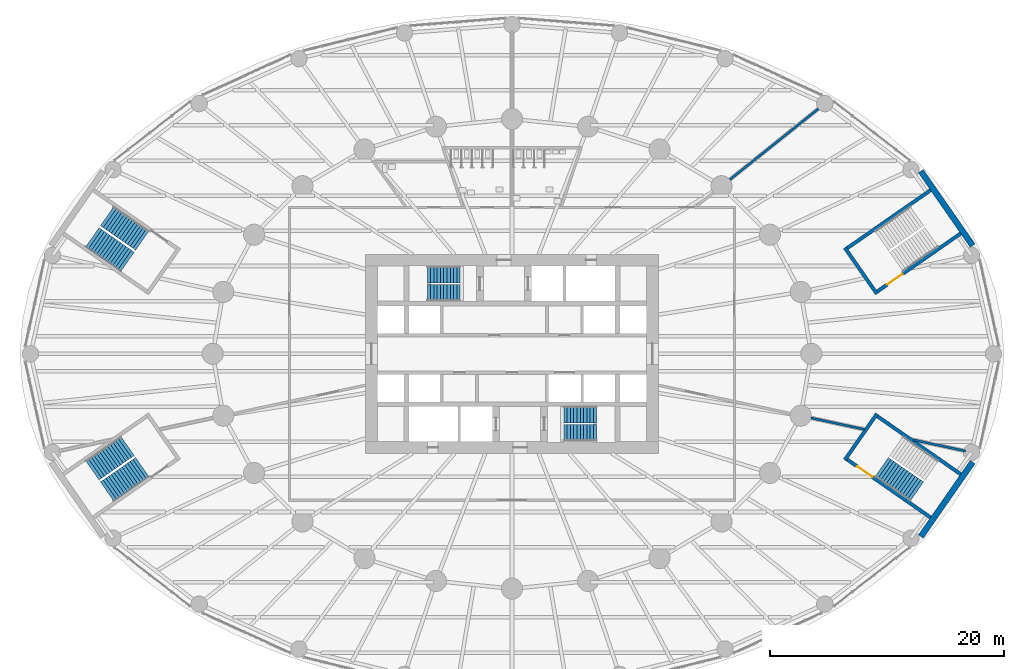
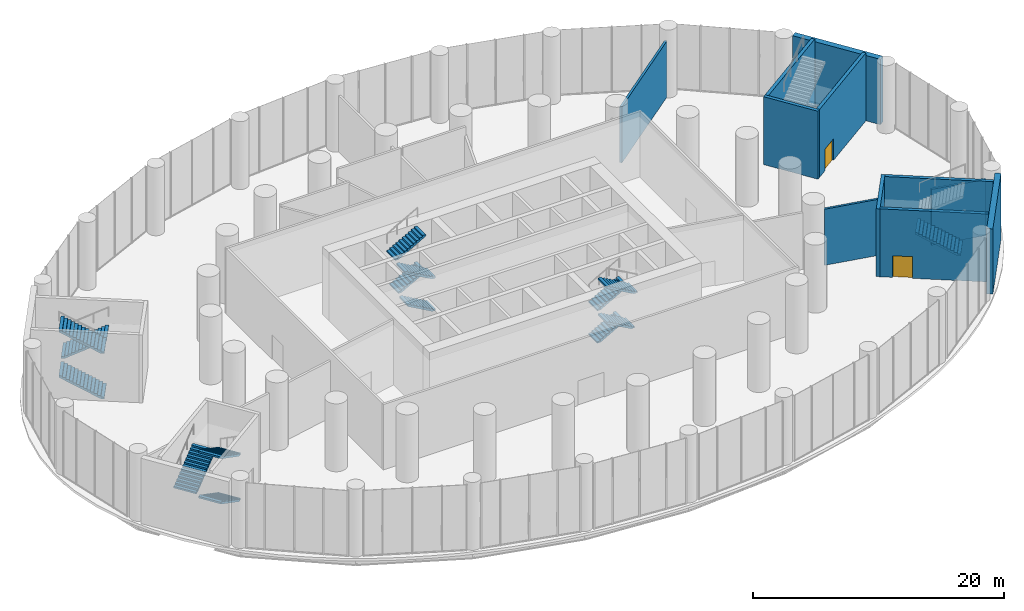
# One storey, part 18 of 22: 15 stair flights, 11 walls, 2 doors, 2 openings, 5 elements without a shape of their own.
"""IFC4 building model written with IfcOpenShell, lengths in metres."""

from ifc_helpers import new_model, si_unit, direction, frame, frame_2d, origin, place, context, subcontext, project, spatial, polyline, rectangle, outline, extrude, material, layer, layer_set, type_object, element, fill, aggregate, save


model = new_model("IFC4")

# Units and contexts
model_context = context("Model", 3, precision=1e-05, world=origin(), true_north=direction((0.0, 1.0)))
body_context = subcontext(model_context, "Body", "Model", "MODEL_VIEW")
ifc_project = project(units=[si_unit("LENGTHUNIT", "METRE"), si_unit("AREAUNIT", "SQUARE_METRE"), si_unit("VOLUMEUNIT", "CUBIC_METRE"), si_unit("PLANEANGLEUNIT", "RADIAN"), si_unit("MASSUNIT", "GRAM", prefix="KILO")], contexts=[model_context])

# Site, building, storey
site_placement = place(None, origin())
site = spatial("IfcSite", under=ifc_project, at=site_placement, CompositionType="ELEMENT")
building_placement = place(site_placement, origin())
building = spatial("IfcBuilding", under=site, at=building_placement, Name="Hankou Lantern Tower", CompositionType="ELEMENT")
storey_placement = place(building_placement, frame((0.0, 0.0, 7.199951171875)))
storey = spatial("IfcBuildingStorey", under=building, at=storey_placement, Name="L01", CompositionType="ELEMENT", Elevation=7.199951171875)

# Wall, opening, door
ifc_material_1 = material(Name="Concrete C50", Category="concrete")
ifc_layer_1 = layer(ifc_material_1, 0.300048828125)
ifc_layer_set_1 = layer_set([ifc_layer_1], Name="Concrete C50")
wall_type_1 = type_object("IfcWallType", Name="CW7 PODIUM STAIR WALL 300", PredefinedType="SHEAR", material=ifc_layer_set_1)
wall_1_placement = place(storey_placement, frame((38.29931640625, 10.273681640625, 0.0), z_axis=(0.0, 0.0, 1.0), x_axis=(-0.820936803751, -0.571019057692, 0.0)))
wall_1 = element("IfcWall", 1, at=wall_1_placement, inside=storey, type_object=wall_type_1, Name="Podium stair P1 wall", PredefinedType="SHEAR", context=body_context, shape_type="SweptSolid", body=[
    extrude(rectangle(XDim=8.66015625, YDim=0.300048828125, at=frame_2d((4.330078125, 0.0))), origin(), (0.0, 0.0, 1.0), 6.60009765625),
])
opening_1_placement = place(wall_1_placement, frame((6.050048828125, 0.0, 0.0)))
opening_1 = element("IfcOpeningElement", 2, at=opening_1_placement, cuts=wall_1, Name="Opening D16", PredefinedType="OPENING", context=body_context, shape_type="SweptSolid", body=[
    extrude(rectangle(XDim=1.60009765625, YDim=2.10009765625, at=frame_2d((0.800048828125, 1.050048828125))), frame((0.0, 0.159912109375, 0.0), z_axis=(0.0, -1.0, 0.0), x_axis=(1.0, 0.0, 0.0)), (0.0, 0.0, 1.0), 0.320068359375),
])
ifc_material_2 = material(Name="Steel door leaf", Category="steel")
door_type = type_object("IfcDoorType", Name="D16 PODIUM STAIR DOOR 1600X2100", OperationType="SINGLE_SWING_LEFT", PredefinedType="DOOR", material=ifc_material_2)
door_1_placement = place(opening_1_placement, origin())
door_1 = element("IfcDoor", 3, at=door_1_placement, inside=storey, type_object=door_type, Name="Podium stair P1 door", OperationType="SINGLE_SWING_LEFT", OverallHeight=2.10009765625, OverallWidth=1.60009765625, PredefinedType="DOOR", context=body_context, shape_type="SweptSolid", body=[
    extrude(rectangle(XDim=1.60009765625, YDim=2.10009765625, at=frame_2d((0.800048828125, 1.050048828125))), frame((0.0, 0.02490234375, 0.0), z_axis=(0.0, -1.0, 0.0), x_axis=(1.0, 0.0, 0.0)), (0.0, 0.0, 1.0), 0.050048828125),
])
fill(opening_1, door_1)

# Walls
wall_2_placement = place(storey_placement, frame((35.7294921875, 13.968017578125, 0.0), z_axis=(0.0, 0.0, 1.0), x_axis=(-0.82092761123, -0.571032273274, 0.0)))
element("IfcWall", 4, at=wall_2_placement, inside=storey, type_object=wall_type_1, Name="Podium stair P1 wall", PredefinedType="SHEAR", context=body_context, shape_type="SweptSolid", body=[
    extrude(rectangle(XDim=8.659912109375, YDim=0.300048828125, at=frame_2d((4.330078125, 0.0))), origin(), (0.0, 0.0, 1.0), 6.60009765625),
])
wall_3_placement = place(storey_placement, frame((31.152587890625, 5.119873046875, 0.0), z_axis=(0.0, 0.0, 1.0), x_axis=(-0.571036173178, 0.820924898467, 0.0)))
element("IfcWall", 5, at=wall_3_placement, inside=storey, type_object=wall_type_1, Name="Podium stair P1 wall", PredefinedType="SHEAR", context=body_context, shape_type="SweptSolid", body=[
    extrude(rectangle(XDim=4.800048828125, YDim=0.300048828125, at=frame_2d((2.39990234375, 0.0))), origin(), (0.0, 0.0, 1.0), 6.60009765625),
])

# Wall, opening, door
wall_4_placement = place(storey_placement, frame((35.7294921875, -13.968017578125, 0.0), z_axis=(0.0, 0.0, 1.0), x_axis=(-0.82092761123, 0.571032273274, 0.0)))
wall_4 = element("IfcWall", 6, at=wall_4_placement, inside=storey, type_object=wall_type_1, Name="Podium stair P4 wall", PredefinedType="SHEAR", context=body_context, shape_type="SweptSolid", body=[
    extrude(rectangle(XDim=8.659912109375, YDim=0.300048828125, at=frame_2d((4.330078125, 0.0))), origin(), (0.0, 0.0, 1.0), 6.60009765625),
])
opening_2_placement = place(wall_4_placement, frame((6.050048828125, 0.0, 0.0)))
opening_2 = element("IfcOpeningElement", 7, at=opening_2_placement, cuts=wall_4, Name="Opening D16", PredefinedType="OPENING", context=body_context, shape_type="SweptSolid", body=[
    extrude(rectangle(XDim=1.60009765625, YDim=2.10009765625, at=frame_2d((0.800048828125, 1.050048828125))), frame((0.0, 0.159912109375, 0.0), z_axis=(0.0, -1.0, 0.0), x_axis=(1.0, 0.0, 0.0)), (0.0, 0.0, 1.0), 0.320068359375),
])
door_2_placement = place(opening_2_placement, origin())
door_2 = element("IfcDoor", 8, at=door_2_placement, inside=storey, type_object=door_type, Name="Podium stair P4 door", OperationType="SINGLE_SWING_LEFT", OverallHeight=2.10009765625, OverallWidth=1.60009765625, PredefinedType="DOOR", context=body_context, shape_type="SweptSolid", body=[
    extrude(rectangle(XDim=1.60009765625, YDim=2.10009765625, at=frame_2d((0.800048828125, 1.050048828125))), frame((0.0, 0.02490234375, 0.0), z_axis=(0.0, -1.0, 0.0), x_axis=(1.0, 0.0, 0.0)), (0.0, 0.0, 1.0), 0.050048828125),
])
fill(opening_2, door_2)

# Walls
wall_5_placement = place(storey_placement, frame((38.29931640625, -10.273681640625, 0.0), z_axis=(0.0, 0.0, 1.0), x_axis=(-0.820936803751, 0.571019057692, 0.0)))
element("IfcWall", 9, at=wall_5_placement, inside=storey, type_object=wall_type_1, Name="Podium stair P4 wall", PredefinedType="SHEAR", context=body_context, shape_type="SweptSolid", body=[
    extrude(rectangle(XDim=8.66015625, YDim=0.300048828125, at=frame_2d((4.330078125, 0.0))), origin(), (0.0, 0.0, 1.0), 6.60009765625),
])
wall_6_placement = place(storey_placement, frame((28.41162109375, -9.060302734375, 0.0), z_axis=(0.0, 0.0, 1.0), x_axis=(0.571036173178, 0.820924898467, 0.0)))
element("IfcWall", 10, at=wall_6_placement, inside=storey, type_object=wall_type_1, Name="Podium stair P4 wall", PredefinedType="SHEAR", context=body_context, shape_type="SweptSolid", body=[
    extrude(rectangle(XDim=4.800048828125, YDim=0.300048828125, at=frame_2d((2.39990234375, 0.0))), origin(), (0.0, 0.0, 1.0), 6.60009765625),
])
ifc_material_3 = material(Name="Granite cladding on reinforced concrete C50", Category="masonry")
ifc_layer_2 = layer(ifc_material_3, 0.5)
ifc_layer_set_2 = layer_set([ifc_layer_2], Name="Granite cladding on reinforced concrete C50")
wall_type_2 = type_object("IfcWallType", Name="EW2 STONE PORTAL WALL 500", PredefinedType="SOLIDWALL", material=ifc_layer_set_2)
for number, where, z_axis, x_axis, name in (
    (11, (39.3203125, 9.24365234375, 0.0), (0.0, 0.0, 1.0), (-0.571029335057, 0.820929655028, 0.0), "Portal wall R02 L01"),
    (12, (34.90478515625, -15.591552734375, 0.0), (0.0, 0.0, 1.0), (0.571029335057, 0.820929655028, 0.0), "Portal wall R23 L01"),
):
    element("IfcWall", number, at=place(storey_placement, frame(where, z_axis=z_axis, x_axis=x_axis)), inside=storey, type_object=wall_type_2, Name=name, PredefinedType="SOLIDWALL", context=body_context, shape_type="SweptSolid", body=[
        extrude(rectangle(XDim=7.732666015625, YDim=0.5, at=frame_2d((3.8662109375, 0.0))), origin(), (0.0, 0.0, 1.0), 6.35009765625),
    ])
ifc_material_4 = material(Name="Masonry dense concrete block", Category="masonry")
ifc_layer_3 = layer(ifc_material_4, 0.199951171875)
ifc_layer_set_3 = layer_set([ifc_layer_3], Name="Masonry dense concrete block")
wall_type_3 = type_object("IfcWallType", Name="FW1 COMPARTMENT FIRE WALL 200", PredefinedType="PARTITIONING", material=ifc_layer_set_3)
wall_7_placement = place(storey_placement, frame((25.527099609375, -5.471923828125, 0.0), z_axis=(0.0, 0.0, 1.0), x_axis=(0.977787143577, -0.209600338396, 0.0)))
element("IfcWall", 13, at=wall_7_placement, inside=storey, type_object=wall_type_3, Name="Fire wall R24", PredefinedType="PARTITIONING", context=body_context, shape_type="SweptSolid", body=[
    extrude(rectangle(XDim=4.68017578125, YDim=0.199951171875, at=frame_2d((2.340087890625, 0.0))), origin(), (0.0, 0.0, 1.0), 5.449951171875),
])
wall_8_placement = place(storey_placement, frame((34.263427734375, -7.3447265625, 0.0), z_axis=(0.0, 0.0, 1.0), x_axis=(0.977794589892, -0.209565598271, 0.0)))
element("IfcWall", 14, at=wall_8_placement, inside=storey, type_object=wall_type_3, Name="Fire wall R24", PredefinedType="PARTITIONING", context=body_context, shape_type="SweptSolid", body=[
    extrude(rectangle(XDim=4.566650390625, YDim=0.199951171875, at=frame_2d((2.283203125, 0.0))), origin(), (0.0, 0.0, 1.0), 5.449951171875),
])
ifc_material_5 = material(Name="Masonry lightweight concrete block", Category="masonry")
ifc_layer_4 = layer(ifc_material_5, 0.199951171875)
ifc_layer_set_4 = layer_set([ifc_layer_4], Name="Masonry lightweight concrete block")
wall_type_4 = type_object("IfcWallType", Name="IW8 PARTITION 200", PredefinedType="PARTITIONING", material=ifc_layer_set_4)
wall_9_placement = place(storey_placement, frame((18.594482421875, 14.87548828125, 0.0), z_axis=(0.0, 0.0, 1.0), x_axis=(0.780868809443, 0.624695047554, 0.0)))
element("IfcWall", 15, at=wall_9_placement, inside=storey, type_object=wall_type_4, Name="Partition R04", PredefinedType="PARTITIONING", context=body_context, shape_type="SweptSolid", body=[
    extrude(rectangle(XDim=9.883056640625, YDim=0.199951171875, at=frame_2d((4.94140625, 0.0))), origin(), (0.0, 0.0, 1.0), 5.449951171875),
])

# Stair, stair flights
ifc_material_6 = material(Name="Concrete C40", Category="concrete")
stair_type_1 = type_object("IfcStairType", Name="ST66 CORE STAIR 6600 RISE", PredefinedType="HALF_TURN_STAIR", material=ifc_material_6)
stair_1_placement = place(storey_placement, origin())
stair_1 = element("IfcStair", 16, at=stair_1_placement, inside=storey, type_object=stair_type_1, Name="Stair STA L01", PredefinedType="HALF_TURN_STAIR")
ifc_material_7 = material(Name="Concrete C40", Category="concrete")
stair_flight_type_1 = type_object("IfcStairFlightType", Name="CF10 CORE STAIR FLIGHT 1400 X 10 RISERS", PredefinedType="STRAIGHT", material=ifc_material_7)
stair_flight_1_placement = place(storey_placement, frame((-4.429931640625, 5.199951171875, 0.0), z_axis=(0.0, 0.0, 1.0), x_axis=(-1.0, 0.0, 0.0)))
stair_flight_1 = element("IfcStairFlight", 17, at=stair_flight_1_placement, type_object=stair_flight_type_1, Name="STA flight 1", NumberOfRisers=10, NumberOfTreads=9, PredefinedType="STRAIGHT", RiserHeight=0.157142857, TreadLength=0.28, context=body_context, shape_type="SweptSolid", body=[
    extrude(outline(polyline([(0.0, 0.0), (0.0, 0.1572265625), (0.280029296875, 0.1572265625), (0.280029296875, 0.314208984375), (0.56005859375, 0.314208984375), (0.56005859375, 0.471435546875), (0.840087890625, 0.471435546875), (0.840087890625, 0.628662109375), (1.1201171875, 0.628662109375), (1.1201171875, 0.78564453125), (1.39990234375, 0.78564453125), (1.39990234375, 0.94287109375), (1.679931640625, 0.94287109375), (1.679931640625, 1.10009765625), (1.9599609375, 1.10009765625), (1.9599609375, 1.257080078125), (2.239990234375, 1.257080078125), (2.239990234375, 1.414306640625), (2.52001953125, 1.414306640625), (2.52001953125, 1.571533203125), (2.52001953125, 1.242431640625), (0.306396484375, 0.0), (0.0, 0.0)])), frame((0.0, 0.699951171875, 0.0), z_axis=(0.0, -1.0, 0.0), x_axis=(1.0, 0.0, 0.0)), (0.0, 0.0, 1.0), 1.39990234375),
])
stair_flight_2_placement = place(storey_placement, frame((-6.949951171875, 6.75, 1.571533203125), z_axis=(0.0, 0.0, 1.0), x_axis=(1.0, 0.0, 0.0)))
stair_flight_2 = element("IfcStairFlight", 18, at=stair_flight_2_placement, type_object=stair_flight_type_1, Name="STA flight 2", NumberOfRisers=10, NumberOfTreads=9, PredefinedType="STRAIGHT", RiserHeight=0.157142857, TreadLength=0.28, context=body_context, shape_type="SweptSolid", body=[
    extrude(outline(polyline([(0.0, 0.0), (0.0, 0.1572265625), (0.280029296875, 0.1572265625), (0.280029296875, 0.314208984375), (0.56005859375, 0.314208984375), (0.56005859375, 0.471435546875), (0.840087890625, 0.471435546875), (0.840087890625, 0.628662109375), (1.1201171875, 0.628662109375), (1.1201171875, 0.78564453125), (1.39990234375, 0.78564453125), (1.39990234375, 0.94287109375), (1.679931640625, 0.94287109375), (1.679931640625, 1.10009765625), (1.9599609375, 1.10009765625), (1.9599609375, 1.257080078125), (2.239990234375, 1.257080078125), (2.239990234375, 1.414306640625), (2.52001953125, 1.414306640625), (2.52001953125, 1.571533203125), (2.52001953125, 1.242431640625), (0.306396484375, 0.0), (0.0, 0.0)])), frame((0.0, 0.699951171875, 0.0), z_axis=(0.0, -1.0, 0.0), x_axis=(1.0, 0.0, 0.0)), (0.0, 0.0, 1.0), 1.39990234375),
])

stair_2_placement = place(storey_placement, origin())
stair_2 = element("IfcStair", 19, at=stair_2_placement, inside=storey, type_object=stair_type_1, Name="Stair STB L01", PredefinedType="HALF_TURN_STAIR")
stair_flight_3_placement = place(storey_placement, frame((4.429931640625, -5.199951171875, 0.0), z_axis=(0.0, 0.0, 1.0), x_axis=(1.0, 0.0, 0.0)))
stair_flight_3 = element("IfcStairFlight", 20, at=stair_flight_3_placement, type_object=stair_flight_type_1, Name="STB flight 1", NumberOfRisers=10, NumberOfTreads=9, PredefinedType="STRAIGHT", RiserHeight=0.157142857, TreadLength=0.28, context=body_context, shape_type="SweptSolid", body=[
    extrude(outline(polyline([(0.0, 0.0), (0.0, 0.1572265625), (0.280029296875, 0.1572265625), (0.280029296875, 0.314208984375), (0.56005859375, 0.314208984375), (0.56005859375, 0.471435546875), (0.840087890625, 0.471435546875), (0.840087890625, 0.628662109375), (1.1201171875, 0.628662109375), (1.1201171875, 0.78564453125), (1.39990234375, 0.78564453125), (1.39990234375, 0.94287109375), (1.679931640625, 0.94287109375), (1.679931640625, 1.10009765625), (1.9599609375, 1.10009765625), (1.9599609375, 1.257080078125), (2.239990234375, 1.257080078125), (2.239990234375, 1.414306640625), (2.52001953125, 1.414306640625), (2.52001953125, 1.571533203125), (2.52001953125, 1.242431640625), (0.306396484375, 0.0), (0.0, 0.0)])), frame((0.0, 0.699951171875, 0.0), z_axis=(0.0, -1.0, 0.0), x_axis=(1.0, 0.0, 0.0)), (0.0, 0.0, 1.0), 1.39990234375),
])
stair_flight_4_placement = place(storey_placement, frame((6.949951171875, -6.75, 1.571533203125), z_axis=(0.0, 0.0, 1.0), x_axis=(-1.0, 0.0, 0.0)))
stair_flight_4 = element("IfcStairFlight", 21, at=stair_flight_4_placement, type_object=stair_flight_type_1, Name="STB flight 2", NumberOfRisers=10, NumberOfTreads=9, PredefinedType="STRAIGHT", RiserHeight=0.157142857, TreadLength=0.28, context=body_context, shape_type="SweptSolid", body=[
    extrude(outline(polyline([(0.0, 0.0), (0.0, 0.1572265625), (0.280029296875, 0.1572265625), (0.280029296875, 0.314208984375), (0.56005859375, 0.314208984375), (0.56005859375, 0.471435546875), (0.840087890625, 0.471435546875), (0.840087890625, 0.628662109375), (1.1201171875, 0.628662109375), (1.1201171875, 0.78564453125), (1.39990234375, 0.78564453125), (1.39990234375, 0.94287109375), (1.679931640625, 0.94287109375), (1.679931640625, 1.10009765625), (1.9599609375, 1.10009765625), (1.9599609375, 1.257080078125), (2.239990234375, 1.257080078125), (2.239990234375, 1.414306640625), (2.52001953125, 1.414306640625), (2.52001953125, 1.571533203125), (2.52001953125, 1.242431640625), (0.306396484375, 0.0), (0.0, 0.0)])), frame((0.0, 0.699951171875, 0.0), z_axis=(0.0, -1.0, 0.0), x_axis=(1.0, 0.0, 0.0)), (0.0, 0.0, 1.0), 1.39990234375),
])

# Stair flight
ifc_material_8 = material(Name="Concrete C40", Category="concrete")
stair_flight_type_2 = type_object("IfcStairFlightType", Name="CF11 CORE STAIR FLIGHT 1400 X 11 RISERS", PredefinedType="STRAIGHT", material=ifc_material_8)
stair_flight_5_placement = place(storey_placement, frame((-4.429931640625, 5.199951171875, 3.142822265625), z_axis=(0.0, 0.0, 1.0), x_axis=(-1.0, 0.0, 0.0)))
stair_flight_5 = element("IfcStairFlight", 22, at=stair_flight_5_placement, type_object=stair_flight_type_2, Name="STA flight 3", NumberOfRisers=11, NumberOfTreads=10, PredefinedType="STRAIGHT", RiserHeight=0.157142857, TreadLength=0.28, context=body_context, shape_type="SweptSolid", body=[
    extrude(outline(polyline([(0.0, 0.0), (0.0, 0.1572265625), (0.280029296875, 0.1572265625), (0.280029296875, 0.314208984375), (0.56005859375, 0.314208984375), (0.56005859375, 0.471435546875), (0.840087890625, 0.471435546875), (0.840087890625, 0.628662109375), (1.1201171875, 0.628662109375), (1.1201171875, 0.78564453125), (1.39990234375, 0.78564453125), (1.39990234375, 0.94287109375), (1.679931640625, 0.94287109375), (1.679931640625, 1.10009765625), (1.9599609375, 1.10009765625), (1.9599609375, 1.257080078125), (2.239990234375, 1.257080078125), (2.239990234375, 1.414306640625), (2.52001953125, 1.414306640625), (2.52001953125, 1.571533203125), (2.800048828125, 1.571533203125), (2.800048828125, 1.728515625), (2.800048828125, 1.3994140625), (0.306396484375, 0.0), (0.0, 0.0)])), frame((0.0, 0.699951171875, 0.0), z_axis=(0.0, -1.0, 0.0), x_axis=(1.0, 0.0, 0.0)), (0.0, 0.0, 1.0), 1.39990234375),
])

stair_flight_6_placement = place(storey_placement, frame((-7.22998046875, 6.75, 4.87158203125), z_axis=(0.0, 0.0, 1.0), x_axis=(1.0, 0.0, 0.0)))
stair_flight_6 = element("IfcStairFlight", 23, at=stair_flight_6_placement, type_object=stair_flight_type_2, Name="STA flight 4", NumberOfRisers=11, NumberOfTreads=10, PredefinedType="STRAIGHT", RiserHeight=0.157142857, TreadLength=0.28, context=body_context, shape_type="SweptSolid", body=[
    extrude(outline(polyline([(0.0, 0.0), (0.0, 0.1572265625), (0.280029296875, 0.1572265625), (0.280029296875, 0.314208984375), (0.56005859375, 0.314208984375), (0.56005859375, 0.471435546875), (0.840087890625, 0.471435546875), (0.840087890625, 0.628662109375), (1.1201171875, 0.628662109375), (1.1201171875, 0.78564453125), (1.39990234375, 0.78564453125), (1.39990234375, 0.94287109375), (1.679931640625, 0.94287109375), (1.679931640625, 1.10009765625), (1.9599609375, 1.10009765625), (1.9599609375, 1.257080078125), (2.239990234375, 1.257080078125), (2.239990234375, 1.414306640625), (2.52001953125, 1.414306640625), (2.52001953125, 1.571533203125), (2.800048828125, 1.571533203125), (2.800048828125, 1.728515625), (2.800048828125, 1.3994140625), (0.306396484375, 0.0), (0.0, 0.0)])), frame((0.0, 0.699951171875, 0.0), z_axis=(0.0, -1.0, 0.0), x_axis=(1.0, 0.0, 0.0)), (0.0, 0.0, 1.0), 1.39990234375),
])

aggregate(stair_1, [stair_flight_1, stair_flight_2, stair_flight_5, stair_flight_6])

stair_flight_7_placement = place(storey_placement, frame((4.429931640625, -5.199951171875, 3.142822265625), z_axis=(0.0, 0.0, 1.0), x_axis=(1.0, 0.0, 0.0)))
stair_flight_7 = element("IfcStairFlight", 24, at=stair_flight_7_placement, type_object=stair_flight_type_2, Name="STB flight 3", NumberOfRisers=11, NumberOfTreads=10, PredefinedType="STRAIGHT", RiserHeight=0.157142857, TreadLength=0.28, context=body_context, shape_type="SweptSolid", body=[
    extrude(outline(polyline([(0.0, 0.0), (0.0, 0.1572265625), (0.280029296875, 0.1572265625), (0.280029296875, 0.314208984375), (0.56005859375, 0.314208984375), (0.56005859375, 0.471435546875), (0.840087890625, 0.471435546875), (0.840087890625, 0.628662109375), (1.1201171875, 0.628662109375), (1.1201171875, 0.78564453125), (1.39990234375, 0.78564453125), (1.39990234375, 0.94287109375), (1.679931640625, 0.94287109375), (1.679931640625, 1.10009765625), (1.9599609375, 1.10009765625), (1.9599609375, 1.257080078125), (2.239990234375, 1.257080078125), (2.239990234375, 1.414306640625), (2.52001953125, 1.414306640625), (2.52001953125, 1.571533203125), (2.800048828125, 1.571533203125), (2.800048828125, 1.728515625), (2.800048828125, 1.3994140625), (0.306396484375, 0.0), (0.0, 0.0)])), frame((0.0, 0.699951171875, 0.0), z_axis=(0.0, -1.0, 0.0), x_axis=(1.0, 0.0, 0.0)), (0.0, 0.0, 1.0), 1.39990234375),
])

stair_flight_8_placement = place(storey_placement, frame((7.22998046875, -6.75, 4.87158203125), z_axis=(0.0, 0.0, 1.0), x_axis=(-1.0, 0.0, 0.0)))
stair_flight_8 = element("IfcStairFlight", 25, at=stair_flight_8_placement, type_object=stair_flight_type_2, Name="STB flight 4", NumberOfRisers=11, NumberOfTreads=10, PredefinedType="STRAIGHT", RiserHeight=0.157142857, TreadLength=0.28, context=body_context, shape_type="SweptSolid", body=[
    extrude(outline(polyline([(0.0, 0.0), (0.0, 0.1572265625), (0.280029296875, 0.1572265625), (0.280029296875, 0.314208984375), (0.56005859375, 0.314208984375), (0.56005859375, 0.471435546875), (0.840087890625, 0.471435546875), (0.840087890625, 0.628662109375), (1.1201171875, 0.628662109375), (1.1201171875, 0.78564453125), (1.39990234375, 0.78564453125), (1.39990234375, 0.94287109375), (1.679931640625, 0.94287109375), (1.679931640625, 1.10009765625), (1.9599609375, 1.10009765625), (1.9599609375, 1.257080078125), (2.239990234375, 1.257080078125), (2.239990234375, 1.414306640625), (2.52001953125, 1.414306640625), (2.52001953125, 1.571533203125), (2.800048828125, 1.571533203125), (2.800048828125, 1.728515625), (2.800048828125, 1.3994140625), (0.306396484375, 0.0), (0.0, 0.0)])), frame((0.0, 0.699951171875, 0.0), z_axis=(0.0, -1.0, 0.0), x_axis=(1.0, 0.0, 0.0)), (0.0, 0.0, 1.0), 1.39990234375),
])

aggregate(stair_2, [stair_flight_3, stair_flight_4, stair_flight_7, stair_flight_8])

# Stair, stair flights
ifc_material_9 = material(Name="Concrete C40", Category="concrete")
stair_type_2 = type_object("IfcStairType", Name="PS66 PODIUM STAIR 6600 RISE", PredefinedType="HALF_TURN_STAIR", material=ifc_material_9)
stair_3_placement = place(storey_placement, origin())
stair_3 = element("IfcStair", 26, at=stair_3_placement, inside=storey, type_object=stair_type_2, Name="Stair P2 L01", PredefinedType="HALF_TURN_STAIR")
ifc_material_10 = material(Name="Concrete C40", Category="concrete")
stair_flight_type_3 = type_object("IfcStairFlightType", Name="PF14 PODIUM STAIR FLIGHT 2000 X 14 RISERS", PredefinedType="STRAIGHT", material=ifc_material_10)
stair_flight_9_placement = place(storey_placement, frame((-32.82373046875, 7.865966796875, 0.0), z_axis=(0.0, 0.0, 1.0), x_axis=(-0.820927362045, 0.571032631507, 0.0)))
stair_flight_9 = element("IfcStairFlight", 27, at=stair_flight_9_placement, type_object=stair_flight_type_3, Name="P2 flight 1", NumberOfRisers=14, NumberOfTreads=13, PredefinedType="STRAIGHT", RiserHeight=0.157142857, TreadLength=0.28, context=body_context, shape_type="SweptSolid", body=[
    extrude(outline(polyline([(0.0, 0.0), (0.0, 0.1572265625), (0.280029296875, 0.1572265625), (0.280029296875, 0.314208984375), (0.56005859375, 0.314208984375), (0.56005859375, 0.471435546875), (0.840087890625, 0.471435546875), (0.840087890625, 0.628662109375), (1.1201171875, 0.628662109375), (1.1201171875, 0.78564453125), (1.39990234375, 0.78564453125), (1.39990234375, 0.94287109375), (1.679931640625, 0.94287109375), (1.679931640625, 1.10009765625), (1.9599609375, 1.10009765625), (1.9599609375, 1.257080078125), (2.239990234375, 1.257080078125), (2.239990234375, 1.414306640625), (2.52001953125, 1.414306640625), (2.52001953125, 1.571533203125), (2.800048828125, 1.571533203125), (2.800048828125, 1.728515625), (3.080078125, 1.728515625), (3.080078125, 1.8857421875), (3.360107421875, 1.8857421875), (3.360107421875, 2.04296875), (3.639892578125, 2.04296875), (3.639892578125, 2.199951171875), (3.639892578125, 1.870849609375), (0.306396484375, 0.0), (0.0, 0.0)])), frame((0.0, 1.0, 0.0), z_axis=(0.0, -1.0, 0.0), x_axis=(1.0, 0.0, 0.0)), (0.0, 0.0, 1.0), 2.0),
])
stair_flight_10_placement = place(storey_placement, frame((-34.5556640625, 11.75048828125, 2.199951171875), z_axis=(0.0, 0.0, 1.0), x_axis=(0.820927362045, -0.571032631507, 0.0)))
stair_flight_10 = element("IfcStairFlight", 28, at=stair_flight_10_placement, type_object=stair_flight_type_3, Name="P2 flight 2", NumberOfRisers=14, NumberOfTreads=13, PredefinedType="STRAIGHT", RiserHeight=0.157142857, TreadLength=0.28, context=body_context, shape_type="SweptSolid", body=[
    extrude(outline(polyline([(0.0, 0.0), (0.0, 0.1572265625), (0.280029296875, 0.1572265625), (0.280029296875, 0.314208984375), (0.56005859375, 0.314208984375), (0.56005859375, 0.471435546875), (0.840087890625, 0.471435546875), (0.840087890625, 0.628662109375), (1.1201171875, 0.628662109375), (1.1201171875, 0.78564453125), (1.39990234375, 0.78564453125), (1.39990234375, 0.94287109375), (1.679931640625, 0.94287109375), (1.679931640625, 1.10009765625), (1.9599609375, 1.10009765625), (1.9599609375, 1.257080078125), (2.239990234375, 1.257080078125), (2.239990234375, 1.414306640625), (2.52001953125, 1.414306640625), (2.52001953125, 1.571533203125), (2.800048828125, 1.571533203125), (2.800048828125, 1.728515625), (3.080078125, 1.728515625), (3.080078125, 1.8857421875), (3.360107421875, 1.8857421875), (3.360107421875, 2.04296875), (3.639892578125, 2.04296875), (3.639892578125, 2.199951171875), (3.639892578125, 1.870849609375), (0.306396484375, 0.0), (0.0, 0.0)])), frame((0.0, 1.0, 0.0), z_axis=(0.0, -1.0, 0.0), x_axis=(1.0, 0.0, 0.0)), (0.0, 0.0, 1.0), 2.0),
])
stair_flight_11_placement = place(storey_placement, frame((-32.82373046875, 7.865966796875, 4.400146484375), z_axis=(0.0, 0.0, 1.0), x_axis=(-0.820927362045, 0.571032631507, 0.0)))
stair_flight_11 = element("IfcStairFlight", 29, at=stair_flight_11_placement, type_object=stair_flight_type_3, Name="P2 flight 3", NumberOfRisers=14, NumberOfTreads=13, PredefinedType="STRAIGHT", RiserHeight=0.157142857, TreadLength=0.28, context=body_context, shape_type="SweptSolid", body=[
    extrude(outline(polyline([(0.0, 0.0), (0.0, 0.1572265625), (0.280029296875, 0.1572265625), (0.280029296875, 0.314208984375), (0.56005859375, 0.314208984375), (0.56005859375, 0.471435546875), (0.840087890625, 0.471435546875), (0.840087890625, 0.628662109375), (1.1201171875, 0.628662109375), (1.1201171875, 0.78564453125), (1.39990234375, 0.78564453125), (1.39990234375, 0.94287109375), (1.679931640625, 0.94287109375), (1.679931640625, 1.10009765625), (1.9599609375, 1.10009765625), (1.9599609375, 1.257080078125), (2.239990234375, 1.257080078125), (2.239990234375, 1.414306640625), (2.52001953125, 1.414306640625), (2.52001953125, 1.571533203125), (2.800048828125, 1.571533203125), (2.800048828125, 1.728515625), (3.080078125, 1.728515625), (3.080078125, 1.8857421875), (3.360107421875, 1.8857421875), (3.360107421875, 2.04296875), (3.639892578125, 2.04296875), (3.639892578125, 2.199951171875), (3.639892578125, 1.870849609375), (0.306396484375, 0.0), (0.0, 0.0)])), frame((0.0, 1.0, 0.0), z_axis=(0.0, -1.0, 0.0), x_axis=(1.0, 0.0, 0.0)), (0.0, 0.0, 1.0), 2.0),
])
aggregate(stair_3, [stair_flight_9, stair_flight_10, stair_flight_11])

stair_4_placement = place(storey_placement, origin())
stair_4 = element("IfcStair", 30, at=stair_4_placement, inside=storey, type_object=stair_type_2, Name="Stair P3 L01", PredefinedType="HALF_TURN_STAIR")
stair_flight_12_placement = place(storey_placement, frame((-31.5673828125, -9.671875, 0.0), z_axis=(0.0, 0.0, 1.0), x_axis=(-0.820927362045, -0.571032631507, 0.0)))
stair_flight_12 = element("IfcStairFlight", 31, at=stair_flight_12_placement, type_object=stair_flight_type_3, Name="P3 flight 1", NumberOfRisers=14, NumberOfTreads=13, PredefinedType="STRAIGHT", RiserHeight=0.157142857, TreadLength=0.28, context=body_context, shape_type="SweptSolid", body=[
    extrude(outline(polyline([(0.0, 0.0), (0.0, 0.1572265625), (0.280029296875, 0.1572265625), (0.280029296875, 0.314208984375), (0.56005859375, 0.314208984375), (0.56005859375, 0.471435546875), (0.840087890625, 0.471435546875), (0.840087890625, 0.628662109375), (1.1201171875, 0.628662109375), (1.1201171875, 0.78564453125), (1.39990234375, 0.78564453125), (1.39990234375, 0.94287109375), (1.679931640625, 0.94287109375), (1.679931640625, 1.10009765625), (1.9599609375, 1.10009765625), (1.9599609375, 1.257080078125), (2.239990234375, 1.257080078125), (2.239990234375, 1.414306640625), (2.52001953125, 1.414306640625), (2.52001953125, 1.571533203125), (2.800048828125, 1.571533203125), (2.800048828125, 1.728515625), (3.080078125, 1.728515625), (3.080078125, 1.8857421875), (3.360107421875, 1.8857421875), (3.360107421875, 2.04296875), (3.639892578125, 2.04296875), (3.639892578125, 2.199951171875), (3.639892578125, 1.870849609375), (0.306396484375, 0.0), (0.0, 0.0)])), frame((0.0, 1.0, 0.0), z_axis=(0.0, -1.0, 0.0), x_axis=(1.0, 0.0, 0.0)), (0.0, 0.0, 1.0), 2.0),
])
stair_flight_13_placement = place(storey_placement, frame((-35.811767578125, -9.944580078125, 2.199951171875), z_axis=(0.0, 0.0, 1.0), x_axis=(0.820927362045, 0.571032631507, 0.0)))
stair_flight_13 = element("IfcStairFlight", 32, at=stair_flight_13_placement, type_object=stair_flight_type_3, Name="P3 flight 2", NumberOfRisers=14, NumberOfTreads=13, PredefinedType="STRAIGHT", RiserHeight=0.157142857, TreadLength=0.28, context=body_context, shape_type="SweptSolid", body=[
    extrude(outline(polyline([(0.0, 0.0), (0.0, 0.1572265625), (0.280029296875, 0.1572265625), (0.280029296875, 0.314208984375), (0.56005859375, 0.314208984375), (0.56005859375, 0.471435546875), (0.840087890625, 0.471435546875), (0.840087890625, 0.628662109375), (1.1201171875, 0.628662109375), (1.1201171875, 0.78564453125), (1.39990234375, 0.78564453125), (1.39990234375, 0.94287109375), (1.679931640625, 0.94287109375), (1.679931640625, 1.10009765625), (1.9599609375, 1.10009765625), (1.9599609375, 1.257080078125), (2.239990234375, 1.257080078125), (2.239990234375, 1.414306640625), (2.52001953125, 1.414306640625), (2.52001953125, 1.571533203125), (2.800048828125, 1.571533203125), (2.800048828125, 1.728515625), (3.080078125, 1.728515625), (3.080078125, 1.8857421875), (3.360107421875, 1.8857421875), (3.360107421875, 2.04296875), (3.639892578125, 2.04296875), (3.639892578125, 2.199951171875), (3.639892578125, 1.870849609375), (0.306396484375, 0.0), (0.0, 0.0)])), frame((0.0, 1.0, 0.0), z_axis=(0.0, -1.0, 0.0), x_axis=(1.0, 0.0, 0.0)), (0.0, 0.0, 1.0), 2.0),
])
stair_flight_14_placement = place(storey_placement, frame((-31.5673828125, -9.671875, 4.400146484375), z_axis=(0.0, 0.0, 1.0), x_axis=(-0.820927362045, -0.571032631507, 0.0)))
stair_flight_14 = element("IfcStairFlight", 33, at=stair_flight_14_placement, type_object=stair_flight_type_3, Name="P3 flight 3", NumberOfRisers=14, NumberOfTreads=13, PredefinedType="STRAIGHT", RiserHeight=0.157142857, TreadLength=0.28, context=body_context, shape_type="SweptSolid", body=[
    extrude(outline(polyline([(0.0, 0.0), (0.0, 0.1572265625), (0.280029296875, 0.1572265625), (0.280029296875, 0.314208984375), (0.56005859375, 0.314208984375), (0.56005859375, 0.471435546875), (0.840087890625, 0.471435546875), (0.840087890625, 0.628662109375), (1.1201171875, 0.628662109375), (1.1201171875, 0.78564453125), (1.39990234375, 0.78564453125), (1.39990234375, 0.94287109375), (1.679931640625, 0.94287109375), (1.679931640625, 1.10009765625), (1.9599609375, 1.10009765625), (1.9599609375, 1.257080078125), (2.239990234375, 1.257080078125), (2.239990234375, 1.414306640625), (2.52001953125, 1.414306640625), (2.52001953125, 1.571533203125), (2.800048828125, 1.571533203125), (2.800048828125, 1.728515625), (3.080078125, 1.728515625), (3.080078125, 1.8857421875), (3.360107421875, 1.8857421875), (3.360107421875, 2.04296875), (3.639892578125, 2.04296875), (3.639892578125, 2.199951171875), (3.639892578125, 1.870849609375), (0.306396484375, 0.0), (0.0, 0.0)])), frame((0.0, 1.0, 0.0), z_axis=(0.0, -1.0, 0.0), x_axis=(1.0, 0.0, 0.0)), (0.0, 0.0, 1.0), 2.0),
])
aggregate(stair_4, [stair_flight_12, stair_flight_13, stair_flight_14])

# Stair, stair flight
stair_5_placement = place(storey_placement, origin())
stair_5 = element("IfcStair", 34, at=stair_5_placement, inside=storey, type_object=stair_type_2, Name="Stair P4 L01", PredefinedType="HALF_TURN_STAIR")
stair_flight_15_placement = place(storey_placement, frame((34.5556640625, -11.75048828125, 2.199951171875), z_axis=(0.0, 0.0, 1.0), x_axis=(-0.820927362045, 0.571032631507, 0.0)))
stair_flight_15 = element("IfcStairFlight", 35, at=stair_flight_15_placement, type_object=stair_flight_type_3, Name="P4 flight 2", NumberOfRisers=14, NumberOfTreads=13, PredefinedType="STRAIGHT", RiserHeight=0.157142857, TreadLength=0.28, context=body_context, shape_type="SweptSolid", body=[
    extrude(outline(polyline([(0.0, 0.0), (0.0, 0.1572265625), (0.280029296875, 0.1572265625), (0.280029296875, 0.314208984375), (0.56005859375, 0.314208984375), (0.56005859375, 0.471435546875), (0.840087890625, 0.471435546875), (0.840087890625, 0.628662109375), (1.1201171875, 0.628662109375), (1.1201171875, 0.78564453125), (1.39990234375, 0.78564453125), (1.39990234375, 0.94287109375), (1.679931640625, 0.94287109375), (1.679931640625, 1.10009765625), (1.9599609375, 1.10009765625), (1.9599609375, 1.257080078125), (2.239990234375, 1.257080078125), (2.239990234375, 1.414306640625), (2.52001953125, 1.414306640625), (2.52001953125, 1.571533203125), (2.800048828125, 1.571533203125), (2.800048828125, 1.728515625), (3.080078125, 1.728515625), (3.080078125, 1.8857421875), (3.360107421875, 1.8857421875), (3.360107421875, 2.04296875), (3.639892578125, 2.04296875), (3.639892578125, 2.199951171875), (3.639892578125, 1.870849609375), (0.306396484375, 0.0), (0.0, 0.0)])), frame((0.0, 1.0, 0.0), z_axis=(0.0, -1.0, 0.0), x_axis=(1.0, 0.0, 0.0)), (0.0, 0.0, 1.0), 2.0),
])
aggregate(stair_5, [stair_flight_15])

save(model, "model.ifc")
